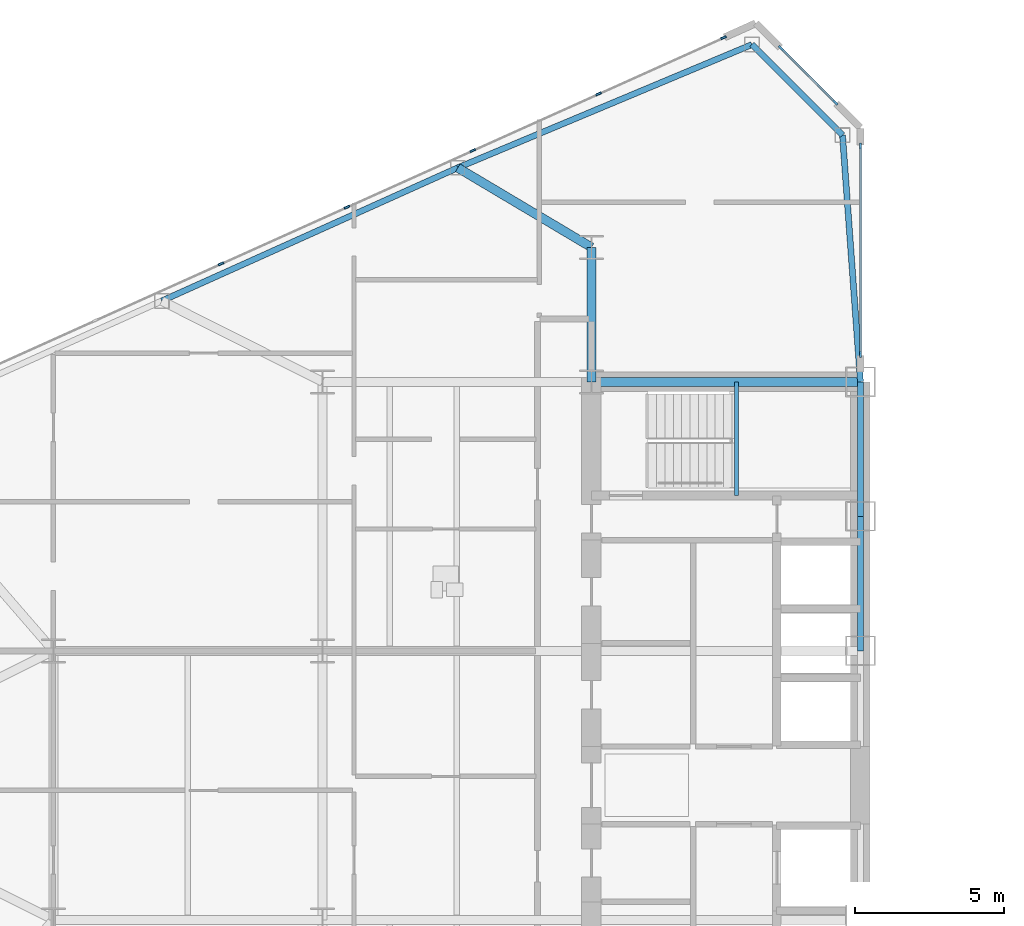
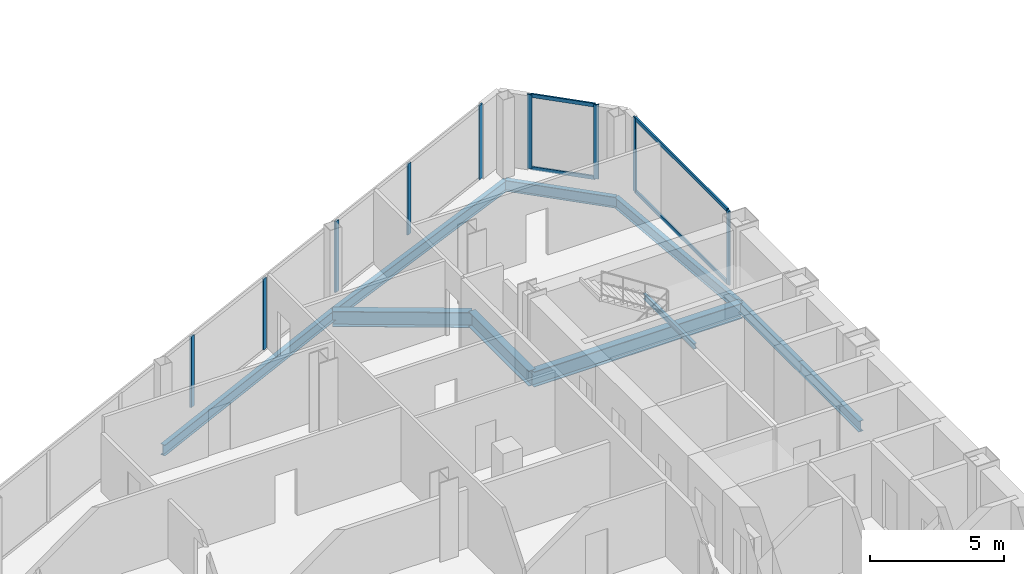
# One storey, part 9 of 27: 13 members, 10 beams, 3 elements without a shape of their own.
"""IFC4 building model written with IfcOpenShell, lengths in metres."""

from ifc_helpers import new_model, si_unit, direction, frame, origin, origin_2d, place, context, subcontext, project, spatial, rectangle, i_section, extrude, source, transform, mapped, material, layer, layer_set, material_profile, profile_set, type_object, type_shapes, element, aggregate, save


model = new_model("IFC4")

# Units and contexts
model_context = context("Model", 3, precision=1e-05, world=origin(), true_north=direction((0.0, 1.0)))
body_context = subcontext(model_context, "Body", "Model", "MODEL_VIEW")
ifc_project = project(units=[si_unit("LENGTHUNIT", "METRE"), si_unit("AREAUNIT", "SQUARE_METRE"), si_unit("VOLUMEUNIT", "CUBIC_METRE"), si_unit("PLANEANGLEUNIT", "RADIAN"), si_unit("MASSUNIT", "GRAM", prefix="KILO")], contexts=[model_context])

# Site, building, storey
site_placement = place(None, origin())
site = spatial("IfcSite", under=ifc_project, at=site_placement, CompositionType="ELEMENT")
building_placement = place(site_placement, origin())
building = spatial("IfcBuilding", under=site, at=building_placement, Name="Seokmaru Belvedere", CompositionType="ELEMENT")
storey_placement = place(building_placement, frame((0.0, 0.0, 72.89990234375)))
storey = spatial("IfcBuildingStorey", under=building, at=storey_placement, Name="L19", CompositionType="ELEMENT", Elevation=72.89990234375)

# Beams
ifc_material_1 = material(Name="Steel SM355 (355 MPa)", Category="steel")
ifc_material_profile_1 = material_profile(ifc_material_1, i_section(OverallWidth=0.199951171875, OverallDepth=0.5, WebThickness=0.010009765625, FlangeThickness=0.01611328125, at=origin_2d()), Name="H-500x200x10x16")
ifc_profile_set_1 = profile_set([ifc_material_profile_1], Name="Steel SM355 (355 MPa)")
beam_type_1 = type_object("IfcBeamType", Name="Perimeter Spandrel Beam H-500", PredefinedType="SPANDREL", material=ifc_profile_set_1)
shared_shape_1 = source(origin(), body_context, "Body", "SweptSolid", [
    extrude(i_section(OverallWidth=0.199951171875, OverallDepth=0.5, WebThickness=0.010009765625, FlangeThickness=0.01611328125, at=origin_2d()), origin(), (0.0, 0.0, 1.0), 4.5),
])
for number, where, z_axis, x_axis, name in (
    (1, (-27.5, 4.5, -0.469970703125), (0.0, 1.0, 0.0), (-1.0, 0.0, 0.0), "L19 W Portal Spine Spandrel 4"),
    (2, (-27.5, 9.0, -0.469970703125), (0.0, 1.0, 0.0), (-1.0, 0.0, 0.0), "L19 W Portal Spine Spandrel 5"),
):
    element("IfcBeam", number, at=place(storey_placement, frame(where, z_axis=z_axis, x_axis=x_axis)), inside=storey, type_object=beam_type_1, Name=name, PredefinedType="SPANDREL", context=body_context, shape_type="MappedRepresentation", body=[
        mapped(shared_shape_1, transform((0.0, 0.0, 0.0), scale=1.0)),
    ])
ifc_material_profile_2 = material_profile(ifc_material_1, i_section(OverallWidth=0.300048828125, OverallDepth=0.699951171875, WebThickness=0.012939453125, FlangeThickness=0.02392578125, at=origin_2d()), Name="H-700x300x13x24")
ifc_profile_set_2 = profile_set([ifc_material_profile_2], Name="Steel SM355 (355 MPa)")
beam_type_2 = type_object("IfcBeamType", Name="Primary Floor Girder H-700", PredefinedType="BEAM", material=ifc_profile_set_2)
shared_shape_2 = source(origin(), body_context, "Body", "SweptSolid", [
    extrude(i_section(OverallWidth=0.300048828125, OverallDepth=0.699951171875, WebThickness=0.012939453125, FlangeThickness=0.02392578125, at=origin_2d()), origin(), (0.0, 0.0, 1.0), 4.5),
])
beam_1_placement = place(storey_placement, frame((-36.5, 13.5, -0.56982421875), z_axis=(0.0, 1.0, 0.0), x_axis=(-1.0, 0.0, 0.0)))
element("IfcBeam", 3, at=beam_1_placement, inside=storey, type_object=beam_type_2, Name="L19 W Core Shoulder Girder N", PredefinedType="BEAM", context=body_context, shape_type="MappedRepresentation", body=[
    mapped(shared_shape_2, transform((0.0, 0.0, 0.0), scale=1.0)),
])
shared_shape_3 = source(origin(), body_context, "Body", "SweptSolid", [
    extrude(i_section(OverallWidth=0.300048828125, OverallDepth=0.699951171875, WebThickness=0.012939453125, FlangeThickness=0.02392578125, at=origin_2d()), origin(), (0.0, 0.0, 1.0), 9.0),
])
beam_2_placement = place(storey_placement, frame((-36.5, 13.5, -0.56982421875), z_axis=(1.0, 0.0, 0.0), x_axis=(0.0, 1.0, 0.0)))
element("IfcBeam", 4, at=beam_2_placement, inside=storey, type_object=beam_type_2, Name="L19 W Core Tie Girder 4", PredefinedType="BEAM", context=body_context, shape_type="MappedRepresentation", body=[
    mapped(shared_shape_3, transform((0.0, 0.0, 0.0), scale=1.0)),
])
shared_shape_4 = source(origin(), body_context, "Body", "SweptSolid", [
    extrude(i_section(OverallWidth=0.199951171875, OverallDepth=0.5, WebThickness=0.010009765625, FlangeThickness=0.01611328125, at=origin_2d()), origin(), (0.0, 0.0, 1.0), 10.66943359375),
])
beam_3_placement = place(storey_placement, frame((-31.13134765625, 24.782958984375, -0.469970703125), z_axis=(-0.922375393128, -0.386294750355, 0.0), x_axis=(0.386294750355, -0.922375393128, 0.0)))
element("IfcBeam", 5, at=beam_3_placement, inside=storey, type_object=beam_type_1, Name="L19 W Faceted Flank Spandrel N-1", PredefinedType="SPANDREL", context=body_context, shape_type="MappedRepresentation", body=[
    mapped(shared_shape_4, transform((0.0, 0.0, 0.0), scale=1.0)),
])
shared_shape_5 = source(origin(), body_context, "Body", "SweptSolid", [
    extrude(i_section(OverallWidth=0.199951171875, OverallDepth=0.5, WebThickness=0.010009765625, FlangeThickness=0.01611328125, at=origin_2d()), origin(), (0.0, 0.0, 1.0), 10.85888671875),
])
beam_4_placement = place(storey_placement, frame((-40.97265625, 20.661376953125, -0.469970703125), z_axis=(-0.911921505175, -0.410364677329, 0.0), x_axis=(0.410364677329, -0.911921505175, 0.0)))
element("IfcBeam", 6, at=beam_4_placement, inside=storey, type_object=beam_type_1, Name="L19 W Faceted Flank Spandrel N-2", PredefinedType="SPANDREL", context=body_context, shape_type="MappedRepresentation", body=[
    mapped(shared_shape_5, transform((0.0, 0.0, 0.0), scale=1.0)),
])
shared_shape_6 = source(origin(), body_context, "Body", "SweptSolid", [
    extrude(i_section(OverallWidth=0.199951171875, OverallDepth=0.5, WebThickness=0.010009765625, FlangeThickness=0.01611328125, at=origin_2d()), origin(), (0.0, 0.0, 1.0), 4.287109375),
])
beam_5_placement = place(storey_placement, frame((-31.13134765625, 24.782958984375, -0.469970703125), z_axis=(0.707078306132, -0.707135255094, 0.0), x_axis=(0.707135255094, 0.707078306132, 0.0)))
element("IfcBeam", 7, at=beam_5_placement, inside=storey, type_object=beam_type_1, Name="L19 W Shoulder Chamfer Spandrel N", PredefinedType="SPANDREL", context=body_context, shape_type="MappedRepresentation", body=[
    mapped(shared_shape_6, transform((0.0, 0.0, 0.0), scale=1.0)),
])
shared_shape_7 = source(origin(), body_context, "Body", "SweptSolid", [
    extrude(i_section(OverallWidth=0.199951171875, OverallDepth=0.5, WebThickness=0.010009765625, FlangeThickness=0.01611328125, at=origin_2d()), origin(), (0.0, 0.0, 1.0), 8.273193359375),
])
type_shapes(beam_type_1, [shared_shape_1, shared_shape_4, shared_shape_5, shared_shape_6, shared_shape_7])
beam_6_placement = place(storey_placement, frame((-28.10009765625, 21.75146484375, -0.469970703125), z_axis=(0.072534628348, -0.99736589459, 0.0), x_axis=(0.99736589459, 0.072534628348, 0.0)))
element("IfcBeam", 8, at=beam_6_placement, inside=storey, type_object=beam_type_1, Name="L19 W Shoulder Spine Spandrel N", PredefinedType="SPANDREL", context=body_context, shape_type="MappedRepresentation", body=[
    mapped(shared_shape_7, transform((0.0, 0.0, 0.0), scale=1.0)),
])
shared_shape_8 = source(origin(), body_context, "Body", "SweptSolid", [
    extrude(i_section(OverallWidth=0.300048828125, OverallDepth=0.699951171875, WebThickness=0.012939453125, FlangeThickness=0.02392578125, at=origin_2d()), origin(), (0.0, 0.0, 1.0), 5.20458984375),
])
type_shapes(beam_type_2, [shared_shape_2, shared_shape_3, shared_shape_8])
beam_7_placement = place(storey_placement, frame((-40.97265625, 20.661376953125, -0.56982421875), z_axis=(0.859370434188, -0.511353553662, 0.0), x_axis=(0.511353553662, 0.859370434188, 0.0)))
element("IfcBeam", 9, at=beam_7_placement, inside=storey, type_object=beam_type_2, Name="L19 W Flank Radial Floor Girder N-1", PredefinedType="BEAM", context=body_context, shape_type="MappedRepresentation", body=[
    mapped(shared_shape_8, transform((0.0, 0.0, 0.0), scale=1.0)),
])

# Curtain wall, members
ifc_material_2 = material(Name="Bronze Triple Insulating Glass", Category="glass")
ifc_layer = layer(ifc_material_2, 0.195068359375)
ifc_layer_set = layer_set([ifc_layer], Name="Bronze Triple Insulating Glass")
curtain_wall_type = type_object("IfcCurtainWallType", Name="Lower-Mid Tapered Curtain Wall System CW-3", PredefinedType="NOTDEFINED", material=ifc_layer_set)
curtain_wall_1_placement = place(storey_placement, origin())
curtain_wall_1 = element("IfcCurtainWall", 10, at=curtain_wall_1_placement, inside=storey, type_object=curtain_wall_type, Name="L19 Curtain Wall WSP_2", PredefinedType="NOTDEFINED")
ifc_material_3 = material(Name="Anodised Bronze Aluminium", Category="aluminium")
ifc_material_profile_3 = material_profile(ifc_material_3, rectangle(XDim=0.070068359375, YDim=0.1650390625, at=origin_2d()), Name="CW-T-70x165")
ifc_profile_set_3 = profile_set([ifc_material_profile_3], Name="Anodised Bronze Aluminium")
member_type_1 = type_object("IfcMemberType", Name="Bronze Unitised Transom 70x165", PredefinedType="USERDEFINED", material=ifc_profile_set_3)
shared_shape_9 = source(origin(), body_context, "Body", "SweptSolid", [
    extrude(rectangle(XDim=0.070068359375, YDim=0.1650390625, at=origin_2d()), origin(), (0.0, 0.0, 1.0), 6.91015625),
])
member_1_placement = place(storey_placement, frame((-27.5, 14.449951171875, 0.03515625), z_axis=(0.0, 1.0, 0.0), x_axis=(-1.0, 0.0, 0.0)))
member_1 = element("IfcMember", 11, at=member_1_placement, type_object=member_type_1, Name="CW:L19:WSP_2 Continuous Transom 1", ObjectType="TRANSOM", PredefinedType="USERDEFINED", context=body_context, shape_type="MappedRepresentation", body=[
    mapped(shared_shape_9, transform((0.0, 0.0, 0.0), scale=1.0)),
])
member_2_placement = place(storey_placement, frame((-27.5, 14.449951171875, 3.34521484375), z_axis=(0.0, 1.0, 0.0), x_axis=(-1.0, 0.0, 0.0)))
member_2 = element("IfcMember", 12, at=member_2_placement, type_object=member_type_1, Name="CW:L19:WSP_2 Continuous Transom 2", ObjectType="TRANSOM", PredefinedType="USERDEFINED", context=body_context, shape_type="MappedRepresentation", body=[
    mapped(shared_shape_9, transform((0.0, 0.0, 0.0), scale=1.0)),
])

curtain_wall_2_placement = place(storey_placement, origin())
curtain_wall_2 = element("IfcCurtainWall", 13, at=curtain_wall_2_placement, inside=storey, type_object=curtain_wall_type, Name="L19 Curtain Wall WF2", PredefinedType="NOTDEFINED")
shared_shape_10 = source(origin(), body_context, "Body", "SweptSolid", [
    extrude(rectangle(XDim=0.070068359375, YDim=0.1650390625, at=origin_2d()), origin(), (0.0, 0.0, 1.0), 2.509521484375),
])
type_shapes(member_type_1, [shared_shape_9, shared_shape_10])
member_3_placement = place(storey_placement, frame((-28.36279296875, 22.86279296875, 0.03515625), z_axis=(-0.707106781187, 0.707106781187, 0.0), x_axis=(-0.707106781187, -0.707106781187, 0.0)))
member_3 = element("IfcMember", 14, at=member_3_placement, type_object=member_type_1, Name="CW:L19:WF2 Continuous Transom 1", ObjectType="TRANSOM", PredefinedType="USERDEFINED", context=body_context, shape_type="MappedRepresentation", body=[
    mapped(shared_shape_10, transform((0.0, 0.0, 0.0), scale=1.0)),
])
member_4_placement = place(storey_placement, frame((-28.36279296875, 22.86279296875, 3.34521484375), z_axis=(-0.707106781187, 0.707106781187, 0.0), x_axis=(-0.707106781187, -0.707106781187, 0.0)))
member_4 = element("IfcMember", 15, at=member_4_placement, type_object=member_type_1, Name="CW:L19:WF2 Continuous Transom 2", ObjectType="TRANSOM", PredefinedType="USERDEFINED", context=body_context, shape_type="MappedRepresentation", body=[
    mapped(shared_shape_10, transform((0.0, 0.0, 0.0), scale=1.0)),
])

curtain_wall_3_placement = place(storey_placement, origin())
curtain_wall_3 = element("IfcCurtainWall", 16, at=curtain_wall_3_placement, inside=storey, type_object=curtain_wall_type, Name="L19 Curtain Wall WF3", PredefinedType="NOTDEFINED")
ifc_material_profile_4 = material_profile(ifc_material_3, rectangle(XDim=0.070068359375, YDim=0.195068359375, at=origin_2d()), Name="CW-M-70x195")
ifc_profile_set_4 = profile_set([ifc_material_profile_4], Name="Anodised Bronze Aluminium")
member_type_2 = type_object("IfcMemberType", Name="Bronze Unitised Mullion 70x195", PredefinedType="MULLION", material=ifc_profile_set_4)
shared_shape_11 = source(origin(), body_context, "Body", "SweptSolid", [
    extrude(rectangle(XDim=0.070068359375, YDim=0.195068359375, at=origin_2d()), origin(), (0.0, 0.0, 1.0), 3.239990234375),
])
member_5_placement = place(storey_placement, frame((-36.260009765625, 23.133056640625, 0.070068359375), z_axis=(0.0, 0.0, 1.0), x_axis=(0.41036554765, -0.91192111353, 0.0)))
member_5 = element("IfcMember", 17, at=member_5_placement, type_object=member_type_2, Name="CW:L19:WF3 Mullion 2", PredefinedType="MULLION", context=body_context, shape_type="MappedRepresentation", body=[
    mapped(shared_shape_11, transform((0.0, 0.0, 0.0), scale=1.0)),
])
member_6_placement = place(storey_placement, frame((-40.471435546875, 21.23779296875, 0.070068359375), z_axis=(0.0, 0.0, 1.0), x_axis=(0.41036554765, -0.91192111353, 0.0)))
member_6 = element("IfcMember", 18, at=member_6_placement, type_object=member_type_2, Name="CW:L19:WF3 Mullion 3", PredefinedType="MULLION", context=body_context, shape_type="MappedRepresentation", body=[
    mapped(shared_shape_11, transform((0.0, 0.0, 0.0), scale=1.0)),
])
member_7_placement = place(storey_placement, frame((-44.682861328125, 19.3427734375, 0.070068359375), z_axis=(0.0, 0.0, 1.0), x_axis=(0.41036554765, -0.91192111353, 0.0)))
member_7 = element("IfcMember", 19, at=member_7_placement, type_object=member_type_2, Name="CW:L19:WF3 Mullion 4", PredefinedType="MULLION", context=body_context, shape_type="MappedRepresentation", body=[
    mapped(shared_shape_11, transform((0.0, 0.0, 0.0), scale=1.0)),
])
member_8_placement = place(storey_placement, frame((-48.894287109375, 17.447509765625, 0.070068359375), z_axis=(0.0, 0.0, 1.0), x_axis=(0.41036554765, -0.91192111353, 0.0)))
member_8 = element("IfcMember", 20, at=member_8_placement, type_object=member_type_2, Name="CW:L19:WF3 Mullion 5", PredefinedType="MULLION", context=body_context, shape_type="MappedRepresentation", body=[
    mapped(shared_shape_11, transform((0.0, 0.0, 0.0), scale=1.0)),
])

# Member
shared_shape_12 = source(origin(), body_context, "Body", "SweptSolid", [
    extrude(rectangle(XDim=0.070068359375, YDim=0.195068359375, at=origin_2d()), origin(), (0.0, 0.0, 1.0), 3.380126953125),
])
type_shapes(member_type_2, [shared_shape_11, shared_shape_12])
member_9_placement = place(storey_placement, frame((-27.5, 14.4150390625, 0.0), z_axis=(0.0, 0.0, 1.0), x_axis=(-1.0, 0.0, 0.0)))
member_9 = element("IfcMember", 21, at=member_9_placement, type_object=member_type_2, Name="CW:L19:WSP_2 Mullion 1", PredefinedType="MULLION", context=body_context, shape_type="MappedRepresentation", body=[
    mapped(shared_shape_12, transform((0.0, 0.0, 0.0), scale=1.0)),
])

member_10_placement = place(storey_placement, frame((-27.5, 21.39501953125, 0.0), z_axis=(0.0, 0.0, 1.0), x_axis=(-1.0, 0.0, 0.0)))
member_10 = element("IfcMember", 22, at=member_10_placement, type_object=member_type_2, Name="CW:L19:WSP_2 Mullion 2", PredefinedType="MULLION", context=body_context, shape_type="MappedRepresentation", body=[
    mapped(shared_shape_12, transform((0.0, 0.0, 0.0), scale=1.0)),
])

aggregate(curtain_wall_1, [member_9, member_10, member_1, member_2])

member_11_placement = place(storey_placement, frame((-28.337890625, 22.837890625, 0.0), z_axis=(0.0, 0.0, 1.0), x_axis=(-0.707106781187, -0.707106781187, 0.0)))
member_11 = element("IfcMember", 23, at=member_11_placement, type_object=member_type_2, Name="CW:L19:WF2 Mullion 1", PredefinedType="MULLION", context=body_context, shape_type="MappedRepresentation", body=[
    mapped(shared_shape_12, transform((0.0, 0.0, 0.0), scale=1.0)),
])

member_12_placement = place(storey_placement, frame((-30.162109375, 24.662109375, 0.0), z_axis=(0.0, 0.0, 1.0), x_axis=(-0.707106781187, -0.707106781187, 0.0)))
member_12 = element("IfcMember", 24, at=member_12_placement, type_object=member_type_2, Name="CW:L19:WF2 Mullion 2", PredefinedType="MULLION", context=body_context, shape_type="MappedRepresentation", body=[
    mapped(shared_shape_12, transform((0.0, 0.0, 0.0), scale=1.0)),
])

aggregate(curtain_wall_2, [member_11, member_12, member_3, member_4])

member_13_placement = place(storey_placement, frame((-32.08056640625, 25.013671875, 0.0), z_axis=(0.0, 0.0, 1.0), x_axis=(0.41036554765, -0.91192111353, 0.0)))
member_13 = element("IfcMember", 25, at=member_13_placement, type_object=member_type_2, Name="CW:L19:WF3 Mullion 1", PredefinedType="MULLION", context=body_context, shape_type="MappedRepresentation", body=[
    mapped(shared_shape_12, transform((0.0, 0.0, 0.0), scale=1.0)),
])

aggregate(curtain_wall_3, [member_13, member_5, member_6, member_7, member_8])

# Beam
ifc_material_profile_5 = material_profile(ifc_material_1, i_section(OverallWidth=0.125, OverallDepth=0.25, WebThickness=0.006103515625, FlangeThickness=0.009033203125, at=origin_2d()), Name="H-250x125x6x9")
ifc_profile_set_5 = profile_set([ifc_material_profile_5], Name="Steel SM355 (355 MPa)")
beam_type_3 = type_object("IfcBeamType", Name="Stair Mid-Landing Support Beam H-250", PredefinedType="JOIST", material=ifc_profile_set_5)
shared_shape_13 = source(origin(), body_context, "Body", "SweptSolid", [
    extrude(i_section(OverallWidth=0.125, OverallDepth=0.25, WebThickness=0.006103515625, FlangeThickness=0.009033203125, at=origin_2d()), origin(), (0.0, 0.0, 1.0), 3.800048828125),
])
type_shapes(beam_type_3, [shared_shape_13])
beam_8_placement = place(storey_placement, frame((-31.64990234375, 9.699951171875, 1.47509765625), z_axis=(0.0, 1.0, 0.0), x_axis=(-1.0, 0.0, 0.0)))
element("IfcBeam", 26, at=beam_8_placement, inside=storey, type_object=beam_type_3, Name="L19 Stair ST-W2 Mid-Landing Support Beam 1", PredefinedType="JOIST", context=body_context, shape_type="MappedRepresentation", body=[
    mapped(shared_shape_13, transform((0.0, 0.0, 0.0), scale=1.0)),
])

save(model, "model.ifc")
